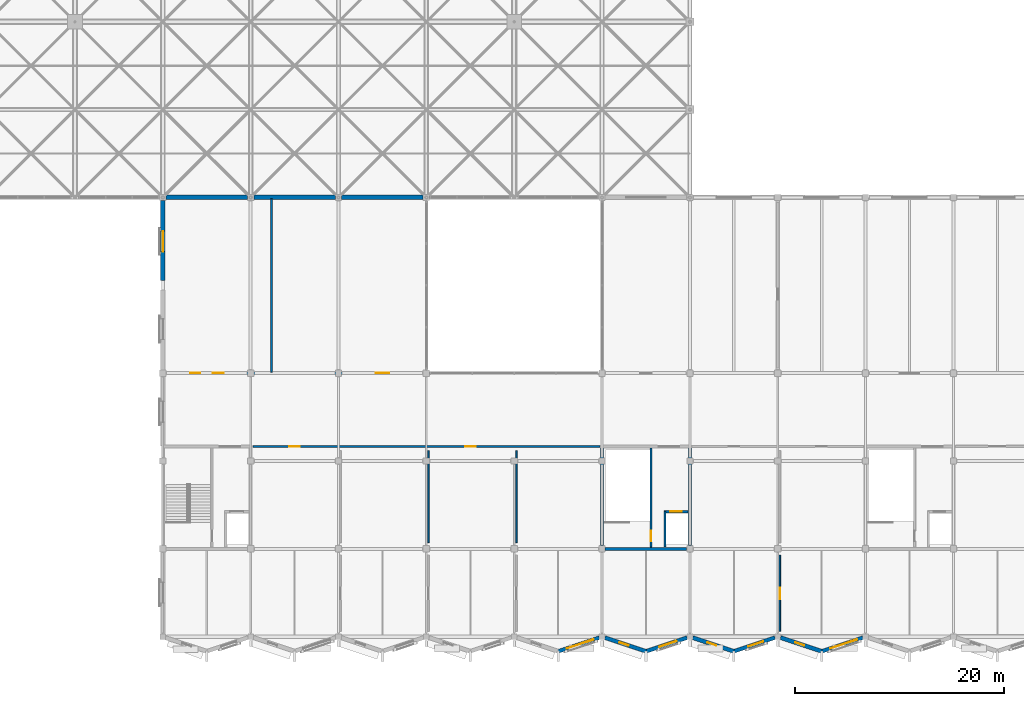
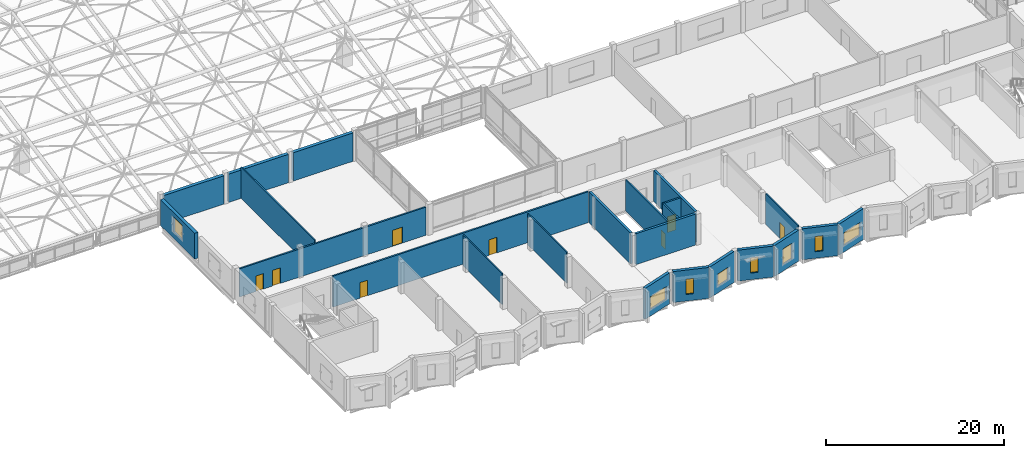
# One storey, part 75 of 81: 23 walls, 8 doors, 8 windows, 16 openings.
"""IFC4 building model written with IfcOpenShell, lengths in metres."""

from ifc_helpers import new_model, si_unit, direction, frame, frame_2d, origin, place, context, subcontext, project, spatial, rectangle, extrude, material, layer, layer_set, type_object, element, fill, save


model = new_model("IFC4")

# Units and contexts
model_context = context("Model", 3, precision=1e-05, world=origin(), true_north=direction((0.0, 1.0)))
body_context = subcontext(model_context, "Body", "Model", "MODEL_VIEW")
ifc_project = project(units=[si_unit("LENGTHUNIT", "METRE"), si_unit("AREAUNIT", "SQUARE_METRE"), si_unit("VOLUMEUNIT", "CUBIC_METRE"), si_unit("PLANEANGLEUNIT", "RADIAN"), si_unit("MASSUNIT", "GRAM", prefix="KILO")], contexts=[model_context])

# Site, building, storey
site_placement = place(None, origin())
site = spatial("IfcSite", under=ifc_project, at=site_placement, CompositionType="ELEMENT")
building_placement = place(site_placement, origin())
building = spatial("IfcBuilding", under=site, at=building_placement, Name="Qawsi Khor Wholesale Market", CompositionType="ELEMENT")
storey_placement = place(building_placement, frame((0.0, 0.0, 16.199951171875)))
storey = spatial("IfcBuildingStorey", under=building, at=storey_placement, Name="L03", CompositionType="ELEMENT", Elevation=16.199951171875)

# Walls
ifc_material_1 = material(Name="Concrete C40/50", Category="concrete")
ifc_layer_1 = layer(ifc_material_1, 0.300048828125, Name="Concrete C40/50")
ifc_layer_set_1 = layer_set([ifc_layer_1], Name="Concrete C40/50")
wall_type_1 = type_object("IfcWallType", Name="Core Shear Wall RC 300 C40/50", PredefinedType="SHEAR", material=ifc_layer_set_1)
wall_1_placement = place(storey_placement, frame((75.294921875, 8.39990234375, 0.0), z_axis=(0.0, 0.0, 1.0), x_axis=(-1.0, 0.0, 0.0)))
element("IfcWall", 1, at=wall_1_placement, inside=storey, type_object=wall_type_1, Name="Core C02 south shear wall L03", PredefinedType="SHEAR", context=body_context, shape_type="SweptSolid", body=[
    extrude(rectangle(XDim=7.7900390625, YDim=0.300048828125, at=frame_2d((3.89501953125, 0.0))), origin(), (0.0, 0.0, 1.0), 4.260009765625),
])
for number, where, z_axis, x_axis, name in (
    (2, (67.199951171875, 8.705078125, 0.0), (0.0, 0.0, 1.0), (0.0, 1.0, 0.0), "Core C02 west shear wall L03"),
    (3, (75.60009765625, 18.050048828125, 0.0), (0.0, 0.0, 1.0), (0.0, -1.0, 0.0), "Core C02 east shear wall L03"),
):
    element("IfcWall", number, at=place(storey_placement, frame(where, z_axis=z_axis, x_axis=x_axis)), inside=storey, type_object=wall_type_1, Name=name, PredefinedType="SHEAR", context=body_context, shape_type="SweptSolid", body=[
        extrude(rectangle(XDim=9.344970703125, YDim=0.300048828125, at=frame_2d((4.67236328125, 0.0))), origin(), (0.0, 0.0, 1.0), 4.260009765625),
    ])

# Wall, openings, doors
ifc_material_2 = material(Name="Gypsum Fireboard on Steel Stud", Category="steel")
ifc_layer_2 = layer(ifc_material_2, 0.2099609375, Name="Gypsum Fireboard on Steel Stud")
ifc_layer_set_2 = layer_set([ifc_layer_2], Name="Gypsum Fireboard on Steel Stud")
wall_type_2 = type_object("IfcWallType", Name="Corridor Fire Partition Wall 210", PredefinedType="PARTITIONING", material=ifc_layer_set_2)
wall_2_placement = place(storey_placement, frame((33.800048828125, 18.199951171875, 0.0), z_axis=(0.0, 0.0, 1.0), x_axis=(1.0, 0.0, 0.0)))
wall_2 = element("IfcWall", 4, at=wall_2_placement, inside=storey, type_object=wall_type_2, Name="PW-L03-099", PredefinedType="PARTITIONING", context=body_context, shape_type="SweptSolid", body=[
    extrude(rectangle(XDim=33.199951171875, YDim=0.2099609375, at=frame_2d((16.60009765625, 0.0))), origin(), (0.0, 0.0, 1.0), 4.260009765625),
])
opening_1_placement = place(wall_2_placement, frame((3.5, 0.0, 0.0)))
opening_1 = element("IfcOpeningElement", 5, at=opening_1_placement, cuts=wall_2, Name="Opening ID-06", PredefinedType="OPENING", context=body_context, shape_type="SweptSolid", body=[
    extrude(rectangle(XDim=1.0, YDim=2.14990234375, at=frame_2d((0.5, 1.074951171875))), frame((0.0, 0.114990234375, 0.0), z_axis=(0.0, -1.0, 0.0), x_axis=(1.0, 0.0, 0.0)), (0.0, 0.0, 1.0), 0.22998046875),
])
opening_2_placement = place(wall_2_placement, frame((20.300048828125, 0.0, 0.0)))
opening_2 = element("IfcOpeningElement", 6, at=opening_2_placement, cuts=wall_2, Name="Opening ID-06", PredefinedType="OPENING", context=body_context, shape_type="SweptSolid", body=[
    extrude(rectangle(XDim=1.0, YDim=2.14990234375, at=frame_2d((0.5, 1.074951171875))), frame((0.0, 0.114990234375, 0.0), z_axis=(0.0, -1.0, 0.0), x_axis=(1.0, 0.0, 0.0)), (0.0, 0.0, 1.0), 0.22998046875),
])
ifc_material_3 = material(Name="Hardwood Timber Veneer", Category="wood")
door_type_1 = type_object("IfcDoorType", Name="Traders Office Single Door 1000x2150", OperationType="NOTDEFINED", PredefinedType="DOOR", material=ifc_material_3)
door_1_placement = place(opening_1_placement, origin())
door_1 = element("IfcDoor", 7, at=door_1_placement, inside=storey, type_object=door_type_1, Name="Traders Office Single Door 1000x2150 L03-109", OperationType="SINGLE_SWING_LEFT", OverallHeight=2.14990234375, OverallWidth=1.0, PredefinedType="DOOR", context=body_context, shape_type="SweptSolid", body=[
    extrude(rectangle(XDim=1.0, YDim=2.14990234375, at=frame_2d((0.5, 1.074951171875))), frame((0.0, 0.02490234375, 0.0), z_axis=(0.0, -1.0, 0.0), x_axis=(1.0, 0.0, 0.0)), (0.0, 0.0, 1.0), 0.050048828125),
])
fill(opening_1, door_1)
door_2_placement = place(opening_2_placement, origin())
door_2 = element("IfcDoor", 8, at=door_2_placement, inside=storey, type_object=door_type_1, Name="Traders Office Single Door 1000x2150 L03-110", OperationType="SINGLE_SWING_RIGHT", OverallHeight=2.14990234375, OverallWidth=1.0, PredefinedType="DOOR", context=body_context, shape_type="SweptSolid", body=[
    extrude(rectangle(XDim=1.0, YDim=2.14990234375, at=frame_2d((0.5, 1.074951171875))), frame((0.0, 0.02490234375, 0.0), z_axis=(0.0, -1.0, 0.0), x_axis=(1.0, 0.0, 0.0)), (0.0, 0.0, 1.0), 0.050048828125),
])
fill(opening_2, door_2)

wall_3_placement = place(storey_placement, frame((25.699951171875, 25.199951171875, 0.0), z_axis=(0.0, 0.0, 1.0), x_axis=(1.0, 0.0, 0.0)))
wall_3 = element("IfcWall", 9, at=wall_3_placement, inside=storey, type_object=wall_type_2, Name="PW-L03-112", PredefinedType="PARTITIONING", context=body_context, shape_type="SweptSolid", body=[
    extrude(rectangle(XDim=24.199951171875, YDim=0.2099609375, at=frame_2d((12.10009765625, 0.0))), origin(), (0.0, 0.0, 1.0), 3.8701171875),
])
opening_3_placement = place(wall_3_placement, frame((2.139892578125, 0.0, 0.0)))
opening_3 = element("IfcOpeningElement", 10, at=opening_3_placement, cuts=wall_3, Name="Opening ID-11", PredefinedType="OPENING", context=body_context, shape_type="SweptSolid", body=[
    extrude(rectangle(XDim=0.919921875, YDim=2.139892578125, at=frame_2d((0.4599609375, 1.06982421875))), frame((0.0, 0.114990234375, 0.0), z_axis=(0.0, -1.0, 0.0), x_axis=(1.0, 0.0, 0.0)), (0.0, 0.0, 1.0), 0.22998046875),
])
opening_4_placement = place(wall_3_placement, frame((4.284912109375, 0.0, 0.0)))
opening_4 = element("IfcOpeningElement", 11, at=opening_4_placement, cuts=wall_3, Name="Opening ID-12", PredefinedType="OPENING", context=body_context, shape_type="SweptSolid", body=[
    extrude(rectangle(XDim=1.030029296875, YDim=2.14990234375, at=frame_2d((0.51513671875, 1.074951171875))), frame((0.0, 0.114990234375, 0.0), z_axis=(0.0, -1.0, 0.0), x_axis=(1.0, 0.0, 0.0)), (0.0, 0.0, 1.0), 0.22998046875),
])
opening_5_placement = place(wall_3_placement, frame((19.840087890625, 0.0, 0.0)))
opening_5 = element("IfcOpeningElement", 12, at=opening_5_placement, cuts=wall_3, Name="Opening ID-13", PredefinedType="OPENING", context=body_context, shape_type="SweptSolid", body=[
    extrude(rectangle(XDim=1.320068359375, YDim=2.199951171875, at=frame_2d((0.66015625, 1.10009765625))), frame((0.0, 0.114990234375, 0.0), z_axis=(0.0, -1.0, 0.0), x_axis=(1.0, 0.0, 0.0)), (0.0, 0.0, 1.0), 0.22998046875),
])
ifc_material_4 = material(Name="High-Pressure Laminate", Category="steel")
door_type_2 = type_object("IfcDoorType", Name="Accessible WC Door 1030x2150", OperationType="NOTDEFINED", PredefinedType="DOOR", material=ifc_material_4)
door_3_placement = place(opening_4_placement, origin())
door_3 = element("IfcDoor", 13, at=door_3_placement, inside=storey, type_object=door_type_2, Name="Accessible WC Door 1030x2150 L03-121", OperationType="SINGLE_SWING_RIGHT", OverallHeight=2.14990234375, OverallWidth=1.030029296875, PredefinedType="DOOR", context=body_context, shape_type="SweptSolid", body=[
    extrude(rectangle(XDim=1.030029296875, YDim=2.14990234375, at=frame_2d((0.51513671875, 1.074951171875))), frame((0.0, 0.02490234375, 0.0), z_axis=(0.0, -1.0, 0.0), x_axis=(1.0, 0.0, 0.0)), (0.0, 0.0, 1.0), 0.050048828125),
])
fill(opening_4, door_3)
ifc_material_5 = material(Name="Galvanised Steel Fire Door", Category="steel")
door_type_3 = type_object("IfcDoorType", Name="Plant & Riser Fire Door 1320x2200 FD90S", OperationType="NOTDEFINED", PredefinedType="DOOR", material=ifc_material_5)
door_4_placement = place(opening_5_placement, origin())
door_4 = element("IfcDoor", 14, at=door_4_placement, inside=storey, type_object=door_type_3, Name="Plant & Riser Fire Door 1320x2200 FD90S L03-122", OperationType="SINGLE_SWING_RIGHT", OverallHeight=2.199951171875, OverallWidth=1.320068359375, PredefinedType="DOOR", context=body_context, shape_type="SweptSolid", body=[
    extrude(rectangle(XDim=1.320068359375, YDim=2.199951171875, at=frame_2d((0.66015625, 1.10009765625))), frame((0.0, 0.02490234375, 0.0), z_axis=(0.0, -1.0, 0.0), x_axis=(1.0, 0.0, 0.0)), (0.0, 0.0, 1.0), 0.050048828125),
])
fill(opening_5, door_4)
door_type_4 = type_object("IfcDoorType", Name="Public Toilet Entrance Door 920x2140", OperationType="NOTDEFINED", PredefinedType="DOOR", material=ifc_material_4)
door_5_placement = place(opening_3_placement, origin())
door_5 = element("IfcDoor", 15, at=door_5_placement, inside=storey, type_object=door_type_4, Name="Public Toilet Entrance Door 920x2140 L03-120", OperationType="SINGLE_SWING_LEFT", OverallHeight=2.139892578125, OverallWidth=0.919921875, PredefinedType="DOOR", context=body_context, shape_type="SweptSolid", body=[
    extrude(rectangle(XDim=0.919921875, YDim=2.139892578125, at=frame_2d((0.4599609375, 1.06982421875))), frame((0.0, 0.02490234375, 0.0), z_axis=(0.0, -1.0, 0.0), x_axis=(1.0, 0.0, 0.0)), (0.0, 0.0, 1.0), 0.050048828125),
])
fill(opening_3, door_5)

# Wall
ifc_layer_3 = layer(ifc_material_1, 0.219970703125, Name="Concrete C40/50")
ifc_layer_set_3 = layer_set([ifc_layer_3], Name="Concrete C40/50")
wall_type_3 = type_object("IfcWallType", Name="Lift & Stair Shaft Wall RC 220", PredefinedType="SOLIDWALL", material=ifc_layer_set_3)
wall_4_placement = place(storey_placement, frame((73.2099609375, 8.56005859375, 0.0), z_axis=(0.0, 0.0, 1.0), x_axis=(0.0, 1.0, 0.0)))
element("IfcWall", 16, at=wall_4_placement, inside=storey, type_object=wall_type_3, Name="Lift PL-01 shaft wall W L03", PredefinedType="SOLIDWALL", context=body_context, shape_type="SweptSolid", body=[
    extrude(rectangle(XDim=3.389892578125, YDim=0.219970703125, at=frame_2d((1.69482421875, 0.0))), origin(), (0.0, 0.0, 1.0), 4.260009765625),
])

# Wall, opening, door
wall_5_placement = place(storey_placement, frame((73.10009765625, 11.949951171875, 0.0), z_axis=(0.0, 0.0, 1.0), x_axis=(1.0, 0.0, 0.0)))
wall_5 = element("IfcWall", 17, at=wall_5_placement, inside=storey, type_object=wall_type_3, Name="Lift PL-01 shaft wall N L03", PredefinedType="SOLIDWALL", context=body_context, shape_type="SweptSolid", body=[
    extrude(rectangle(XDim=2.33984375, YDim=0.219970703125, at=frame_2d((1.169921875, 0.0))), origin(), (0.0, 0.0, 1.0), 4.260009765625),
])
opening_6_placement = place(wall_5_placement, frame((0.6201171875, 0.0, 0.0)))
opening_6 = element("IfcOpeningElement", 18, at=opening_6_placement, cuts=wall_5, Name="Opening LD-P110", PredefinedType="OPENING", context=body_context, shape_type="SweptSolid", body=[
    extrude(rectangle(XDim=1.10009765625, YDim=2.199951171875, at=frame_2d((0.550048828125, 1.10009765625))), frame((0.0, 0.119873046875, 0.0), z_axis=(0.0, -1.0, 0.0), x_axis=(1.0, 0.0, 0.0)), (0.0, 0.0, 1.0), 0.239990234375),
])
ifc_material_6 = material(Name="Brushed Stainless Steel", Category="steel")
door_type_5 = type_object("IfcDoorType", Name="Passenger Lift Landing Sliding Door 1100x2200 FD90S", OperationType="NOTDEFINED", PredefinedType="DOOR", material=ifc_material_6)
door_6_placement = place(opening_6_placement, origin())
door_6 = element("IfcDoor", 19, at=door_6_placement, inside=storey, type_object=door_type_5, Name="Lift PL-01 landing door L03", OperationType="SLIDING_TO_RIGHT", OverallHeight=2.199951171875, OverallWidth=1.10009765625, PredefinedType="DOOR", context=body_context, shape_type="SweptSolid", body=[
    extrude(rectangle(XDim=1.10009765625, YDim=2.199951171875, at=frame_2d((0.550048828125, 1.10009765625))), frame((0.0, 0.02490234375, 0.0), z_axis=(0.0, -1.0, 0.0), x_axis=(1.0, 0.0, 0.0)), (0.0, 0.0, 1.0), 0.050048828125),
])
fill(opening_6, door_6)

# Walls
ifc_material_7 = material(Name="Gypsum Board on Metal Stud", Category="gypsum")
ifc_layer_4 = layer(ifc_material_7, 0.14990234375, Name="Gypsum Board on Metal Stud")
ifc_layer_set_4 = layer_set([ifc_layer_4], Name="Gypsum Board on Metal Stud")
wall_type_4 = type_object("IfcWallType", Name="Office Partition Wall 150", PredefinedType="PARTITIONING", material=ifc_layer_set_4)
for number, where, z_axis, x_axis, name in (
    (20, (50.60009765625, 9.0, 0.0), (0.0, 0.0, 1.0), (0.0, 1.0, 0.0), "PW-L03-103"),
    (21, (59.0, 9.0, 0.0), (0.0, 0.0, 1.0), (0.0, 1.0, 0.0), "PW-L03-105"),
):
    element("IfcWall", number, at=place(storey_placement, frame(where, z_axis=z_axis, x_axis=x_axis)), inside=storey, type_object=wall_type_4, Name=name, PredefinedType="PARTITIONING", context=body_context, shape_type="SweptSolid", body=[
        extrude(rectangle(XDim=8.800048828125, YDim=0.14990234375, at=frame_2d((4.39990234375, 0.0))), origin(), (0.0, 0.0, 1.0), 4.260009765625),
    ])

# Wall, opening, door
wall_6_placement = place(storey_placement, frame((84.199951171875, 0.5, 0.0), z_axis=(0.0, 0.0, 1.0), x_axis=(0.0, 1.0, 0.0)))
wall_6 = element("IfcWall", 22, at=wall_6_placement, inside=storey, type_object=wall_type_4, Name="PW-L03-107", PredefinedType="PARTITIONING", context=body_context, shape_type="SweptSolid", body=[
    extrude(rectangle(XDim=7.300048828125, YDim=0.14990234375, at=frame_2d((3.64990234375, 0.0))), origin(), (0.0, 0.0, 1.0), 4.260009765625),
])
opening_7_placement = place(wall_6_placement, frame((3.10009765625, 0.0, 0.0)))
opening_7 = element("IfcOpeningElement", 23, at=opening_7_placement, cuts=wall_6, Name="Opening ID-07", PredefinedType="OPENING", context=body_context, shape_type="SweptSolid", body=[
    extrude(rectangle(XDim=1.06005859375, YDim=2.179931640625, at=frame_2d((0.530029296875, 1.08984375))), frame((0.0, 0.0849609375, 0.0), z_axis=(0.0, -1.0, 0.0), x_axis=(1.0, 0.0, 0.0)), (0.0, 0.0, 1.0), 0.169921875),
])
door_type_6 = type_object("IfcDoorType", Name="Clearinghouse Suite Door 1060x2180", OperationType="NOTDEFINED", PredefinedType="DOOR", material=ifc_material_3)
door_7_placement = place(opening_7_placement, origin())
door_7 = element("IfcDoor", 24, at=door_7_placement, inside=storey, type_object=door_type_6, Name="Clearinghouse Suite Door 1060x2180 L03-116", OperationType="SINGLE_SWING_RIGHT", OverallHeight=2.179931640625, OverallWidth=1.06005859375, PredefinedType="DOOR", context=body_context, shape_type="SweptSolid", body=[
    extrude(rectangle(XDim=1.06005859375, YDim=2.179931640625, at=frame_2d((0.530029296875, 1.08984375))), frame((0.0, 0.02490234375, 0.0), z_axis=(0.0, -1.0, 0.0), x_axis=(1.0, 0.0, 0.0)), (0.0, 0.0, 1.0), 0.050048828125),
])
fill(opening_7, door_7)

# Wall, opening, window
ifc_layer_5 = layer(ifc_material_1, 0.429931640625, Name="Concrete C40/50")
ifc_layer_set_5 = layer_set([ifc_layer_5], Name="Concrete C40/50")
wall_type_5 = type_object("IfcWallType", Name="Sculpted Ribbed Concrete Facade Wall 430", PredefinedType="SOLIDWALL", material=ifc_layer_set_5)
wall_7_placement = place(storey_placement, frame((25.199951171875, 34.050048828125, 0.0), z_axis=(0.0, 0.0, 1.0), x_axis=(0.0, 1.0, 0.0)))
wall_7 = element("IfcWall", 25, at=wall_7_placement, inside=storey, type_object=wall_type_5, Name="EW-L03-SWW-4", PredefinedType="SOLIDWALL", context=body_context, shape_type="SweptSolid", body=[
    extrude(rectangle(XDim=7.64501953125, YDim=0.429931640625, at=frame_2d((3.822509765625, 0.0))), origin(), (0.0, 0.0, 1.0), 3.570068359375),
])
opening_8_placement = place(wall_7_placement, frame((2.77490234375, 0.0, 0.949951171875)))
opening_8 = element("IfcOpeningElement", 26, at=opening_8_placement, cuts=wall_7, Name="Opening W-20", PredefinedType="OPENING", context=body_context, shape_type="SweptSolid", body=[
    extrude(rectangle(XDim=1.949951171875, YDim=2.050048828125, at=frame_2d((0.97509765625, 1.02490234375))), frame((0.0, 0.224853515625, 0.0), z_axis=(0.0, -1.0, 0.0), x_axis=(1.0, 0.0, 0.0)), (0.0, 0.0, 1.0), 0.449951171875),
])
ifc_material_8 = material(Name="Thermally Broken Aluminium & Low-E Glass", Category="aluminium")
window_type_1 = type_object("IfcWindowType", Name="Win W-20 Governance Corner 1950x2050", PartitioningType="SINGLE_PANEL", PredefinedType="WINDOW", material=ifc_material_8)
window_1_placement = place(opening_8_placement, origin())
window_1 = element("IfcWindow", 27, at=window_1_placement, inside=storey, type_object=window_type_1, Name="Win W-20 Governance Corner 1950x2050 130", OverallHeight=2.050048828125, OverallWidth=1.949951171875, PartitioningType="SINGLE_PANEL", PredefinedType="WINDOW", context=body_context, shape_type="SweptSolid", body=[
    extrude(rectangle(XDim=1.949951171875, YDim=2.050048828125, at=frame_2d((0.97509765625, 1.02490234375))), frame((0.0, 0.030029296875, 0.0), z_axis=(0.0, -1.0, 0.0), x_axis=(1.0, 0.0, 0.0)), (0.0, 0.0, 1.0), 0.06005859375),
])
fill(opening_8, window_1)

# Walls
for number, where, z_axis, x_axis, name in (
    (28, (25.5048828125, 42.0, 0.0), (0.0, 0.0, 1.0), (1.0, 0.0, 0.0), "EW-L03-SWF-03"),
    (29, (33.905029296875, 42.0, 0.0), (0.0, 0.0, 1.0), (1.0, 0.0, 0.0), "EW-L03-SWF-04"),
    (30, (42.304931640625, 42.0, 0.0), (0.0, 0.0, 1.0), (1.0, 0.0, 0.0), "EW-L03-SWF-05"),
):
    element("IfcWall", number, at=place(storey_placement, frame(where, z_axis=z_axis, x_axis=x_axis)), inside=storey, type_object=wall_type_5, Name=name, PredefinedType="SOLIDWALL", context=body_context, shape_type="SweptSolid", body=[
        extrude(rectangle(XDim=7.7900390625, YDim=0.429931640625, at=frame_2d((3.89501953125, 0.0))), origin(), (0.0, 0.0, 1.0), 3.900146484375),
    ])

# Wall, opening, door
ifc_layer_6 = layer(ifc_material_1, 0.18994140625, Name="Concrete C40/50")
ifc_layer_set_6 = layer_set([ifc_layer_6], Name="Concrete C40/50")
wall_type_6 = type_object("IfcWallType", Name="Stairwell Enclosure Wall RC 190", PredefinedType="SOLIDWALL", material=ifc_layer_set_6)
wall_8_placement = place(storey_placement, frame((71.8798828125, 8.56005859375, 0.0), z_axis=(0.0, 0.0, 1.0), x_axis=(0.0, 1.0, 0.0)))
wall_8 = element("IfcWall", 31, at=wall_8_placement, inside=storey, type_object=wall_type_6, Name="Core C02 stairwell enclosure wall L03", PredefinedType="SOLIDWALL", context=body_context, shape_type="SweptSolid", body=[
    extrude(rectangle(XDim=9.47998046875, YDim=0.18994140625, at=frame_2d((4.739990234375, 0.0))), origin(), (0.0, 0.0, 1.0), 4.260009765625),
])
opening_9_placement = place(wall_8_placement, frame((0.580078125, 0.0, 0.0)))
opening_9 = element("IfcOpeningElement", 32, at=opening_9_placement, cuts=wall_8, Name="Opening ID-17", PredefinedType="OPENING", context=body_context, shape_type="SweptSolid", body=[
    extrude(rectangle(XDim=0.97998046875, YDim=2.14990234375, at=frame_2d((0.489990234375, 1.074951171875))), frame((0.0, 0.10498046875, 0.0), z_axis=(0.0, -1.0, 0.0), x_axis=(1.0, 0.0, 0.0)), (0.0, 0.0, 1.0), 0.2099609375),
])
ifc_material_9 = material(Name="Steel Fire Door", Category="steel")
door_type_7 = type_object("IfcDoorType", Name="Core Stair Lobby Fire Door 980x2150 FD120S", OperationType="NOTDEFINED", PredefinedType="DOOR", material=ifc_material_9)
door_8_placement = place(opening_9_placement, origin())
door_8 = element("IfcDoor", 33, at=door_8_placement, inside=storey, type_object=door_type_7, Name="Core C02 stair enclosure fire door L03", OperationType="SINGLE_SWING_LEFT", OverallHeight=2.14990234375, OverallWidth=0.97998046875, PredefinedType="DOOR", context=body_context, shape_type="SweptSolid", body=[
    extrude(rectangle(XDim=0.97998046875, YDim=2.14990234375, at=frame_2d((0.489990234375, 1.074951171875))), frame((0.0, 0.02490234375, 0.0), z_axis=(0.0, -1.0, 0.0), x_axis=(1.0, 0.0, 0.0)), (0.0, 0.0, 1.0), 0.050048828125),
])
fill(opening_9, door_8)

# Wall, opening, window
ifc_layer_7 = layer(ifc_material_1, 0.3701171875, Name="Concrete C40/50")
ifc_layer_set_7 = layer_set([ifc_layer_7], Name="Concrete C40/50")
wall_type_7 = type_object("IfcWallType", Name="Turned-Bay Concrete Facade Wall 370", PredefinedType="SOLIDWALL", material=ifc_layer_set_7)
wall_9_placement = place(storey_placement, frame((66.934326171875, -0.08837890625, 0.0), z_axis=(0.0, 0.0, 1.0), x_axis=(-0.948677410965, -0.316245426727, 0.0)))
wall_9 = element("IfcWall", 34, at=wall_9_placement, inside=storey, type_object=wall_type_7, Name="EW-L03-SBAY-10", PredefinedType="SOLIDWALL", context=body_context, shape_type="SweptSolid", body=[
    extrude(rectangle(XDim=4.147216796875, YDim=0.3701171875, at=frame_2d((2.07373046875, 0.0))), origin(), (0.0, 0.0, 1.0), 4.260009765625),
])
opening_10_placement = place(wall_9_placement, frame((0.5830078125, 0.0, 0.89990234375)))
opening_10 = element("IfcOpeningElement", 35, at=opening_10_placement, cuts=wall_9, Name="Opening W-09", PredefinedType="OPENING", context=body_context, shape_type="SweptSolid", body=[
    extrude(rectangle(XDim=2.699951171875, YDim=1.75, at=frame_2d((1.35009765625, 0.875))), frame((0.0, 0.195068359375, 0.0), z_axis=(0.0, -1.0, 0.0), x_axis=(1.0, 0.0, 0.0)), (0.0, 0.0, 1.0), 0.39013671875),
])
window_type_2 = type_object("IfcWindowType", Name="Win W-09 Clearinghouse Wide 2700x1750", PartitioningType="SINGLE_PANEL", PredefinedType="WINDOW", material=ifc_material_8)
window_2_placement = place(opening_10_placement, origin())
window_2 = element("IfcWindow", 36, at=window_2_placement, inside=storey, type_object=window_type_2, Name="Win W-09 Clearinghouse Wide 2700x1750 090", OverallHeight=1.75, OverallWidth=2.699951171875, PartitioningType="SINGLE_PANEL", PredefinedType="WINDOW", context=body_context, shape_type="SweptSolid", body=[
    extrude(rectangle(XDim=2.699951171875, YDim=1.75, at=frame_2d((1.35009765625, 0.875))), frame((0.0, 0.030029296875, 0.0), z_axis=(0.0, -1.0, 0.0), x_axis=(1.0, 0.0, 0.0)), (0.0, 0.0, 1.0), 0.06005859375),
])
fill(opening_10, window_2)

wall_10_placement = place(storey_placement, frame((75.33447265625, -0.08837890625, 0.0), z_axis=(0.0, 0.0, 1.0), x_axis=(-0.948683298051, -0.316227766017, 0.0)))
wall_10 = element("IfcWall", 37, at=wall_10_placement, inside=storey, type_object=wall_type_7, Name="EW-L03-SBAY-12", PredefinedType="SOLIDWALL", context=body_context, shape_type="SweptSolid", body=[
    extrude(rectangle(XDim=4.1474609375, YDim=0.3701171875, at=frame_2d((2.07373046875, 0.0))), origin(), (0.0, 0.0, 1.0), 4.260009765625),
])
opening_11_placement = place(wall_10_placement, frame((1.072998046875, 0.0, 0.89990234375)))
opening_11 = element("IfcOpeningElement", 38, at=opening_11_placement, cuts=wall_10, Name="Opening W-23", PredefinedType="OPENING", context=body_context, shape_type="SweptSolid", body=[
    extrude(rectangle(XDim=1.719970703125, YDim=1.699951171875, at=frame_2d((0.85986328125, 0.85009765625))), frame((0.0, 0.195068359375, 0.0), z_axis=(0.0, -1.0, 0.0), x_axis=(1.0, 0.0, 0.0)), (0.0, 0.0, 1.0), 0.39013671875),
])
window_type_3 = type_object("IfcWindowType", Name="Win W-23 East Office Punched 1720x1700", PartitioningType="SINGLE_PANEL", PredefinedType="WINDOW", material=ifc_material_8)
window_3_placement = place(opening_11_placement, origin())
window_3 = element("IfcWindow", 39, at=window_3_placement, inside=storey, type_object=window_type_3, Name="Win W-23 East Office Punched 1720x1700 092", OverallHeight=1.699951171875, OverallWidth=1.719970703125, PartitioningType="SINGLE_PANEL", PredefinedType="WINDOW", context=body_context, shape_type="SweptSolid", body=[
    extrude(rectangle(XDim=1.719970703125, YDim=1.699951171875, at=frame_2d((0.85986328125, 0.85009765625))), frame((0.0, 0.030029296875, 0.0), z_axis=(0.0, -1.0, 0.0), x_axis=(1.0, 0.0, 0.0)), (0.0, 0.0, 1.0), 0.06005859375),
])
fill(opening_11, window_3)

wall_11_placement = place(storey_placement, frame((83.734375, -0.08837890625, 0.0), z_axis=(0.0, 0.0, 1.0), x_axis=(-0.948677410965, -0.316245426727, 0.0)))
wall_11 = element("IfcWall", 40, at=wall_11_placement, inside=storey, type_object=wall_type_7, Name="EW-L03-SBAY-14", PredefinedType="SOLIDWALL", context=body_context, shape_type="SweptSolid", body=[
    extrude(rectangle(XDim=4.147216796875, YDim=0.3701171875, at=frame_2d((2.07373046875, 0.0))), origin(), (0.0, 0.0, 1.0), 4.260009765625),
])
opening_12_placement = place(wall_11_placement, frame((1.18310546875, 0.0, 0.89990234375)))
opening_12 = element("IfcOpeningElement", 41, at=opening_12_placement, cuts=wall_11, Name="Opening W-04", PredefinedType="OPENING", context=body_context, shape_type="SweptSolid", body=[
    extrude(rectangle(XDim=1.5, YDim=2.14990234375, at=frame_2d((0.75, 1.074951171875))), frame((0.0, 0.195068359375, 0.0), z_axis=(0.0, -1.0, 0.0), x_axis=(1.0, 0.0, 0.0)), (0.0, 0.0, 1.0), 0.39013671875),
])
window_type_4 = type_object("IfcWindowType", Name="Win W-04 Turned-Bay Wide 1500x2150", PartitioningType="SINGLE_PANEL", PredefinedType="WINDOW", material=ifc_material_8)
window_4_placement = place(opening_12_placement, origin())
window_4 = element("IfcWindow", 42, at=window_4_placement, inside=storey, type_object=window_type_4, Name="Win W-04 Turned-Bay Wide 1500x2150 094", OverallHeight=2.14990234375, OverallWidth=1.5, PartitioningType="SINGLE_PANEL", PredefinedType="WINDOW", context=body_context, shape_type="SweptSolid", body=[
    extrude(rectangle(XDim=1.5, YDim=2.14990234375, at=frame_2d((0.75, 1.074951171875))), frame((0.0, 0.030029296875, 0.0), z_axis=(0.0, -1.0, 0.0), x_axis=(1.0, 0.0, 0.0)), (0.0, 0.0, 1.0), 0.06005859375),
])
fill(opening_12, window_4)

wall_12_placement = place(storey_placement, frame((92.134521484375, -0.08837890625, 0.0), z_axis=(0.0, 0.0, 1.0), x_axis=(-0.948683298051, -0.316227766017, 0.0)))
wall_12 = element("IfcWall", 43, at=wall_12_placement, inside=storey, type_object=wall_type_7, Name="EW-L03-SBAY-16", PredefinedType="SOLIDWALL", context=body_context, shape_type="SweptSolid", body=[
    extrude(rectangle(XDim=4.1474609375, YDim=0.3701171875, at=frame_2d((2.07373046875, 0.0))), origin(), (0.0, 0.0, 1.0), 4.260009765625),
])
opening_13_placement = place(wall_12_placement, frame((0.5830078125, 0.0, 0.89990234375)))
opening_13 = element("IfcOpeningElement", 44, at=opening_13_placement, cuts=wall_12, Name="Opening W-09", PredefinedType="OPENING", context=body_context, shape_type="SweptSolid", body=[
    extrude(rectangle(XDim=2.699951171875, YDim=1.75, at=frame_2d((1.35009765625, 0.875))), frame((0.0, 0.195068359375, 0.0), z_axis=(0.0, -1.0, 0.0), x_axis=(1.0, 0.0, 0.0)), (0.0, 0.0, 1.0), 0.39013671875),
])
window_5_placement = place(opening_13_placement, origin())
window_5 = element("IfcWindow", 45, at=window_5_placement, inside=storey, type_object=window_type_2, Name="Win W-09 Clearinghouse Wide 2700x1750 096", OverallHeight=1.75, OverallWidth=2.699951171875, PartitioningType="SINGLE_PANEL", PredefinedType="WINDOW", context=body_context, shape_type="SweptSolid", body=[
    extrude(rectangle(XDim=2.699951171875, YDim=1.75, at=frame_2d((1.35009765625, 0.875))), frame((0.0, 0.030029296875, 0.0), z_axis=(0.0, -1.0, 0.0), x_axis=(1.0, 0.0, 0.0)), (0.0, 0.0, 1.0), 0.06005859375),
])
fill(opening_13, window_5)

ifc_layer_8 = layer(ifc_material_1, 0.389892578125, Name="Concrete C40/50")
ifc_layer_set_8 = layer_set([ifc_layer_8], Name="Concrete C40/50")
wall_type_8 = type_object("IfcWallType", Name="Turned-Bay Concrete Facade Wall 390", PredefinedType="SOLIDWALL", material=ifc_layer_set_8)
wall_13_placement = place(storey_placement, frame((71.39990234375, -1.39990234375, 0.0), z_axis=(0.0, 0.0, 1.0), x_axis=(-0.948677410965, 0.316245426727, 0.0)))
wall_13 = element("IfcWall", 46, at=wall_13_placement, inside=storey, type_object=wall_type_8, Name="EW-L03-SBAY-11", PredefinedType="SOLIDWALL", context=body_context, shape_type="SweptSolid", body=[
    extrude(rectangle(XDim=4.147216796875, YDim=0.389892578125, at=frame_2d((2.07373046875, 0.0))), origin(), (0.0, 0.0, 1.0), 4.260009765625),
])
opening_14_placement = place(wall_13_placement, frame((1.762939453125, 0.0, 0.89990234375)))
opening_14 = element("IfcOpeningElement", 47, at=opening_14_placement, cuts=wall_13, Name="Opening W-02", PredefinedType="OPENING", context=body_context, shape_type="SweptSolid", body=[
    extrude(rectangle(XDim=0.89990234375, YDim=2.10009765625, at=frame_2d((0.449951171875, 1.050048828125))), frame((0.0, 0.204833984375, 0.0), z_axis=(0.0, -1.0, 0.0), x_axis=(1.0, 0.0, 0.0)), (0.0, 0.0, 1.0), 0.409912109375),
])
window_type_5 = type_object("IfcWindowType", Name="Win W-02 Deep-Set Narrow 900x2100", PartitioningType="SINGLE_PANEL", PredefinedType="WINDOW", material=ifc_material_8)
window_6_placement = place(opening_14_placement, origin())
window_6 = element("IfcWindow", 48, at=window_6_placement, inside=storey, type_object=window_type_5, Name="Win W-02 Deep-Set Narrow 900x2100 091", OverallHeight=2.10009765625, OverallWidth=0.89990234375, PartitioningType="SINGLE_PANEL", PredefinedType="WINDOW", context=body_context, shape_type="SweptSolid", body=[
    extrude(rectangle(XDim=0.89990234375, YDim=2.10009765625, at=frame_2d((0.449951171875, 1.050048828125))), frame((0.0, 0.030029296875, 0.0), z_axis=(0.0, -1.0, 0.0), x_axis=(1.0, 0.0, 0.0)), (0.0, 0.0, 1.0), 0.06005859375),
])
fill(opening_14, window_6)

wall_14_placement = place(storey_placement, frame((79.800048828125, -1.39990234375, 0.0), z_axis=(0.0, 0.0, 1.0), x_axis=(-0.948683298051, 0.316227766017, 0.0)))
wall_14 = element("IfcWall", 49, at=wall_14_placement, inside=storey, type_object=wall_type_8, Name="EW-L03-SBAY-13", PredefinedType="SOLIDWALL", context=body_context, shape_type="SweptSolid", body=[
    extrude(rectangle(XDim=4.1474609375, YDim=0.389892578125, at=frame_2d((2.07373046875, 0.0))), origin(), (0.0, 0.0, 1.0), 4.260009765625),
])
opening_15_placement = place(wall_14_placement, frame((1.762939453125, 0.0, 0.89990234375)))
opening_15 = element("IfcOpeningElement", 50, at=opening_15_placement, cuts=wall_14, Name="Opening W-02", PredefinedType="OPENING", context=body_context, shape_type="SweptSolid", body=[
    extrude(rectangle(XDim=0.89990234375, YDim=2.10009765625, at=frame_2d((0.449951171875, 1.050048828125))), frame((0.0, 0.204833984375, 0.0), z_axis=(0.0, -1.0, 0.0), x_axis=(1.0, 0.0, 0.0)), (0.0, 0.0, 1.0), 0.409912109375),
])
window_7_placement = place(opening_15_placement, origin())
window_7 = element("IfcWindow", 51, at=window_7_placement, inside=storey, type_object=window_type_5, Name="Win W-02 Deep-Set Narrow 900x2100 093", OverallHeight=2.10009765625, OverallWidth=0.89990234375, PartitioningType="SINGLE_PANEL", PredefinedType="WINDOW", context=body_context, shape_type="SweptSolid", body=[
    extrude(rectangle(XDim=0.89990234375, YDim=2.10009765625, at=frame_2d((0.449951171875, 1.050048828125))), frame((0.0, 0.030029296875, 0.0), z_axis=(0.0, -1.0, 0.0), x_axis=(1.0, 0.0, 0.0)), (0.0, 0.0, 1.0), 0.06005859375),
])
fill(opening_15, window_7)

wall_15_placement = place(storey_placement, frame((88.199951171875, -1.39990234375, 0.0), z_axis=(0.0, 0.0, 1.0), x_axis=(-0.948677410965, 0.316245426727, 0.0)))
wall_15 = element("IfcWall", 52, at=wall_15_placement, inside=storey, type_object=wall_type_8, Name="EW-L03-SBAY-15", PredefinedType="SOLIDWALL", context=body_context, shape_type="SweptSolid", body=[
    extrude(rectangle(XDim=4.147216796875, YDim=0.389892578125, at=frame_2d((2.07373046875, 0.0))), origin(), (0.0, 0.0, 1.0), 4.260009765625),
])
opening_16_placement = place(wall_15_placement, frame((1.762939453125, 0.0, 0.89990234375)))
opening_16 = element("IfcOpeningElement", 53, at=opening_16_placement, cuts=wall_15, Name="Opening W-02", PredefinedType="OPENING", context=body_context, shape_type="SweptSolid", body=[
    extrude(rectangle(XDim=0.89990234375, YDim=2.10009765625, at=frame_2d((0.449951171875, 1.050048828125))), frame((0.0, 0.204833984375, 0.0), z_axis=(0.0, -1.0, 0.0), x_axis=(1.0, 0.0, 0.0)), (0.0, 0.0, 1.0), 0.409912109375),
])
window_8_placement = place(opening_16_placement, origin())
window_8 = element("IfcWindow", 54, at=window_8_placement, inside=storey, type_object=window_type_5, Name="Win W-02 Deep-Set Narrow 900x2100 095", OverallHeight=2.10009765625, OverallWidth=0.89990234375, PartitioningType="SINGLE_PANEL", PredefinedType="WINDOW", context=body_context, shape_type="SweptSolid", body=[
    extrude(rectangle(XDim=0.89990234375, YDim=2.10009765625, at=frame_2d((0.449951171875, 1.050048828125))), frame((0.0, 0.030029296875, 0.0), z_axis=(0.0, -1.0, 0.0), x_axis=(1.0, 0.0, 0.0)), (0.0, 0.0, 1.0), 0.06005859375),
])
fill(opening_16, window_8)

# Wall
ifc_material_10 = material(Name="Cementitious Tile Backer Board", Category="gypsum")
ifc_layer_9 = layer(ifc_material_10, 0.1650390625, Name="Cementitious Tile Backer Board")
ifc_layer_set_9 = layer_set([ifc_layer_9], Name="Cementitious Tile Backer Board")
wall_type_9 = type_object("IfcWallType", Name="Wet-Area Tile-Backed Partition 165", PredefinedType="PARTITIONING", material=ifc_layer_set_9)
wall_16_placement = place(storey_placement, frame((35.60009765625, 25.304931640625, 0.0), z_axis=(0.0, 0.0, 1.0), x_axis=(0.0, 1.0, 0.0)))
element("IfcWall", 55, at=wall_16_placement, inside=storey, type_object=wall_type_9, Name="PW-L03-114", PredefinedType="PARTITIONING", context=body_context, shape_type="SweptSolid", body=[
    extrude(rectangle(XDim=16.570068359375, YDim=0.1650390625, at=frame_2d((8.28515625, 0.0))), origin(), (0.0, 0.0, 1.0), 4.260009765625),
])

save(model, "model.ifc")
